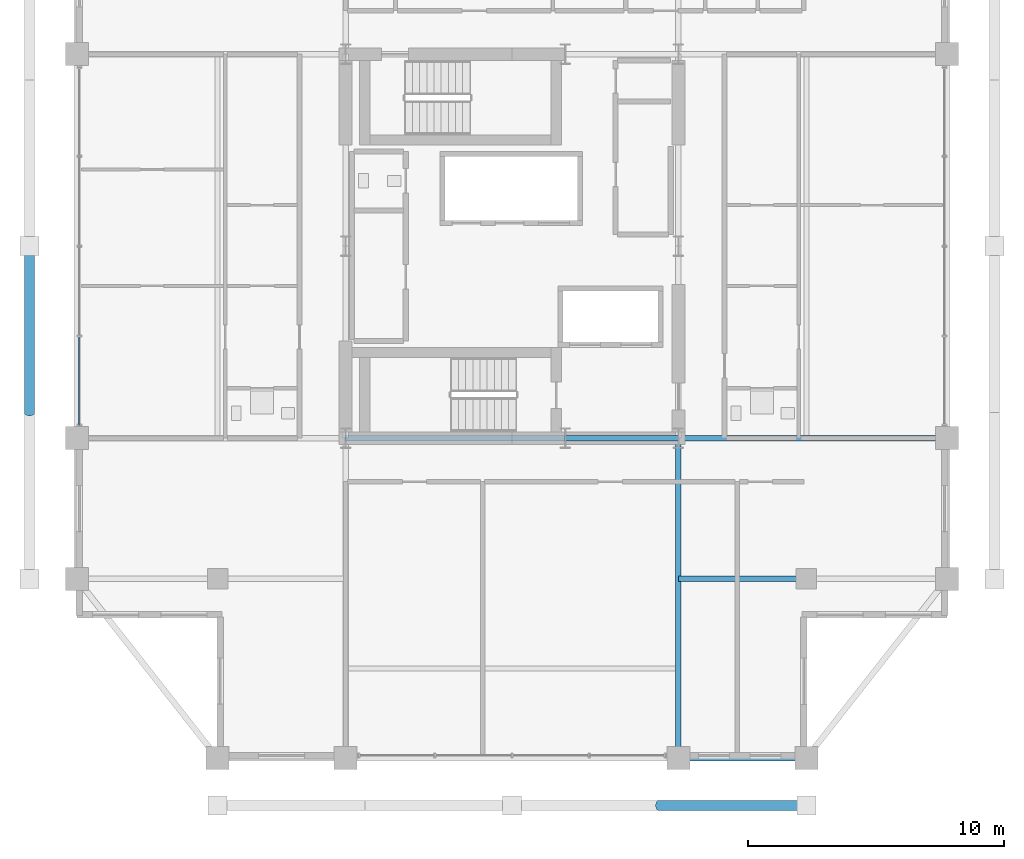
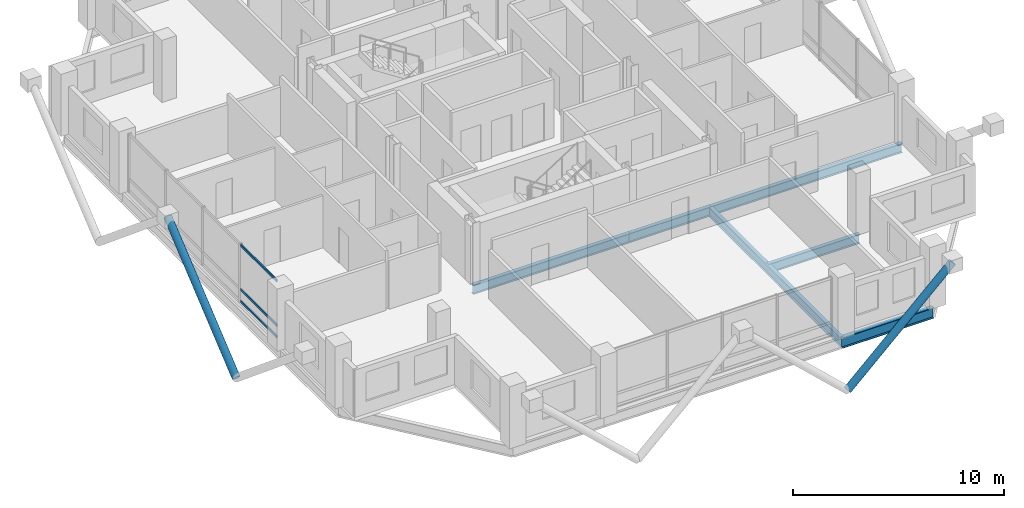
# One storey, part 6 of 23: 6 beams, 5 members, 1 element without a shape of its own.
"""IFC4 building model written with IfcOpenShell, lengths in metres."""

from ifc_helpers import new_model, si_unit, direction, frame, origin, origin_2d, place, context, subcontext, project, spatial, hollow_rectangle, hollow_circle, i_section, extrude, material, layer, layer_set, material_profile, profile_set, type_object, element, aggregate, save


model = new_model("IFC4")

# Units and contexts
model_context = context("Model", 3, precision=1e-05, world=origin(), true_north=direction((0.0, 1.0)))
body_context = subcontext(model_context, "Body", "Model", "MODEL_VIEW")
ifc_project = project(units=[si_unit("LENGTHUNIT", "METRE"), si_unit("AREAUNIT", "SQUARE_METRE"), si_unit("VOLUMEUNIT", "CUBIC_METRE"), si_unit("PLANEANGLEUNIT", "RADIAN"), si_unit("MASSUNIT", "GRAM", prefix="KILO")], contexts=[model_context])

# Site, building, storey
site_placement = place(None, origin())
site = spatial("IfcSite", under=ifc_project, at=site_placement, CompositionType="ELEMENT")
building_placement = place(site_placement, origin())
building = spatial("IfcBuilding", under=site, at=building_placement, Name="Barlavira Tower and Art Museum", CompositionType="ELEMENT")
storey_placement = place(building_placement, frame((0.0, 0.0, 247.5)))
storey = spatial("IfcBuildingStorey", under=building, at=storey_placement, Name="L64", CompositionType="ELEMENT", Elevation=247.5)

# Curtain wall, members
ifc_material_1 = material(Name="Low-iron coastal laminated glass", Category="glass")
ifc_layer = layer(ifc_material_1, 0.2099609375, Name="Low-iron coastal laminated glass")
ifc_layer_set = layer_set([ifc_layer], Name="Low-iron coastal laminated glass")
curtain_wall_type = type_object("IfcCurtainWallType", Name="Pale-Metal Unitised Curtain Wall Zone 4", PredefinedType="NOTDEFINED", material=ifc_layer_set)
curtain_wall_placement = place(storey_placement, origin())
curtain_wall = element("IfcCurtainWall", 1, at=curtain_wall_placement, inside=storey, type_object=curtain_wall_type, Name="L64 Curtain Wall CW4-L64-W-B3", PredefinedType="NOTDEFINED")
ifc_material_2 = material(Name="Pale anodised aluminium", Category="aluminium")
ifc_material_profile_1 = material_profile(ifc_material_2, hollow_rectangle(XDim=0.06494140625, YDim=0.139892578125, WallThickness=0.00390625, at=origin_2d()), Name="ALU-TRAN 65x140x4")
ifc_profile_set_1 = profile_set([ifc_material_profile_1], Name="Pale anodised aluminium")
member_type_1 = type_object("IfcMemberType", Name="Curtain Wall Pale-Metal Transom 65x140", PredefinedType="USERDEFINED", material=ifc_profile_set_1)
member_1_placement = place(storey_placement, frame((-16.89990234375, -3.56005859375, 0.070068359375), z_axis=(0.0, -1.0, 0.0), x_axis=(1.0, 0.0, 0.0)))
member_1 = element("IfcMember", 2, at=member_1_placement, type_object=member_type_1, Name="CW4-L64-W-B3 Transom 3.1", ObjectType="TRANSOM", PredefinedType="USERDEFINED", context=body_context, shape_type="SweptSolid", body=[
    extrude(hollow_rectangle(XDim=0.06494140625, YDim=0.139892578125, WallThickness=0.00390625, at=origin_2d()), origin(), (0.0, 0.0, 1.0), 3.425048828125),
])
member_2_placement = place(storey_placement, frame((-16.89990234375, -3.56005859375, 0.743896484375), z_axis=(0.0, -1.0, 0.0), x_axis=(1.0, 0.0, 0.0)))
member_2 = element("IfcMember", 3, at=member_2_placement, type_object=member_type_1, Name="CW4-L64-W-B3 Transom 3.2", ObjectType="TRANSOM", PredefinedType="USERDEFINED", context=body_context, shape_type="SweptSolid", body=[
    extrude(hollow_rectangle(XDim=0.06494140625, YDim=0.139892578125, WallThickness=0.00390625, at=origin_2d()), origin(), (0.0, 0.0, 1.0), 3.425048828125),
])
member_3_placement = place(storey_placement, frame((-16.89990234375, -3.56005859375, 3.31005859375), z_axis=(0.0, -1.0, 0.0), x_axis=(1.0, 0.0, 0.0)))
member_3 = element("IfcMember", 4, at=member_3_placement, type_object=member_type_1, Name="CW4-L64-W-B3 Transom 3.3", ObjectType="TRANSOM", PredefinedType="USERDEFINED", context=body_context, shape_type="SweptSolid", body=[
    extrude(hollow_rectangle(XDim=0.06494140625, YDim=0.139892578125, WallThickness=0.00390625, at=origin_2d()), origin(), (0.0, 0.0, 1.0), 3.425048828125),
])
aggregate(curtain_wall, [member_1, member_2, member_3])

# Members
ifc_material_3 = material(Name="Steel S355", Category="steel")
ifc_material_profile_2 = material_profile(ifc_material_3, hollow_circle(Radius=0.203125, WallThickness=0.01611328125, at=origin_2d()), Name="CHS 406.4x16.0")
ifc_profile_set_2 = profile_set([ifc_material_profile_2], Name="Steel S355")
member_type_2 = type_object("IfcMemberType", Name="Pale-Metal Exoskeleton Diagrid Tube CHS 406x16 Steel S355", PredefinedType="BRACE", material=ifc_profile_set_2)
member_4_placement = place(storey_placement, frame((5.75, -21.85009765625, -1.919921875), z_axis=(0.728950095515, 0.0, 0.684566839869), x_axis=(0.0, 1.0, 0.0)))
element("IfcMember", 5, at=member_4_placement, inside=storey, type_object=member_type_2, Name="L64 Exoskeleton Diagrid Tube S", PredefinedType="BRACE", context=body_context, shape_type="SweptSolid", body=[
    extrude(hollow_circle(Radius=0.203125, WallThickness=0.01611328125, at=origin_2d()), origin(), (0.0, 0.0, 1.0), 7.887939453125),
])
member_5_placement = place(storey_placement, frame((-18.85009765625, -6.5, -1.919921875), z_axis=(0.0, 0.769196053329, 0.639012857104), x_axis=(-1.0, 0.0, 0.0)))
element("IfcMember", 6, at=member_5_placement, inside=storey, type_object=member_type_2, Name="L64 Exoskeleton Diagrid Tube W", PredefinedType="BRACE", context=body_context, shape_type="SweptSolid", body=[
    extrude(hollow_circle(Radius=0.203125, WallThickness=0.01611328125, at=origin_2d()), origin(), (0.0, 0.0, 1.0), 8.450439453125),
])

# Beams
ifc_material_profile_3 = material_profile(ifc_material_3, i_section(OverallWidth=0.22998046875, OverallDepth=0.616943359375, WebThickness=0.01318359375, FlangeThickness=0.022216796875, at=origin_2d()), Name="W610x140.0")
ifc_profile_set_3 = profile_set([ifc_material_profile_3], Name="Steel S355")
beam_type_1 = type_object("IfcBeamType", Name="Upper Shaft Spandrel Edge Beam W610x140 Steel S355", PredefinedType="SPANDREL", material=ifc_profile_set_3)
beam_1_placement = place(storey_placement, frame((6.5, -20.0, -0.528564453125), z_axis=(1.0, 0.0, 0.0), x_axis=(0.0, 1.0, 0.0)))
element("IfcBeam", 7, at=beam_1_placement, inside=storey, type_object=beam_type_1, Name="L64 Spandrel 3", PredefinedType="SPANDREL", context=body_context, shape_type="SweptSolid", body=[
    extrude(i_section(OverallWidth=0.22998046875, OverallDepth=0.616943359375, WebThickness=0.01318359375, FlangeThickness=0.022216796875, at=origin_2d()), origin(), (0.0, 0.0, 1.0), 5.0),
])
ifc_material_profile_4 = material_profile(ifc_material_3, i_section(OverallWidth=0.2109375, OverallDepth=0.5390625, WebThickness=0.01171875, FlangeThickness=0.018798828125, at=origin_2d()), Name="W530x109.0")
ifc_profile_set_4 = profile_set([ifc_material_profile_4], Name="Steel S355")
beam_type_2 = type_object("IfcBeamType", Name="Zone 3-4 Primary Floor Girder W530x109 Steel S355", PredefinedType="BEAM", material=ifc_profile_set_4)
beam_2_placement = place(storey_placement, frame((-6.5, -7.5, -0.489501953125), z_axis=(1.0, 0.0, 0.0), x_axis=(0.0, 1.0, 0.0)))
element("IfcBeam", 8, at=beam_2_placement, inside=storey, type_object=beam_type_2, Name="L64 Girder C-S1", PredefinedType="BEAM", context=body_context, shape_type="SweptSolid", body=[
    extrude(i_section(OverallWidth=0.2109375, OverallDepth=0.5390625, WebThickness=0.01171875, FlangeThickness=0.018798828125, at=origin_2d()), origin(), (0.0, 0.0, 1.0), 8.580078125),
])
beam_3_placement = place(storey_placement, frame((2.080078125, -7.5, -0.489501953125), z_axis=(1.0, 0.0, 0.0), x_axis=(0.0, 1.0, 0.0)))
element("IfcBeam", 9, at=beam_3_placement, inside=storey, type_object=beam_type_2, Name="L64 Girder C-S2", PredefinedType="BEAM", context=body_context, shape_type="SweptSolid", body=[
    extrude(i_section(OverallWidth=0.2109375, OverallDepth=0.5390625, WebThickness=0.01171875, FlangeThickness=0.018798828125, at=origin_2d()), origin(), (0.0, 0.0, 1.0), 4.419921875),
])
beam_4_placement = place(storey_placement, frame((6.5, -20.0, -0.489501953125), z_axis=(0.0, 1.0, 0.0), x_axis=(-1.0, 0.0, 0.0)))
element("IfcBeam", 10, at=beam_4_placement, inside=storey, type_object=beam_type_2, Name="L64 Girder R-S2", PredefinedType="BEAM", context=body_context, shape_type="SweptSolid", body=[
    extrude(i_section(OverallWidth=0.2109375, OverallDepth=0.5390625, WebThickness=0.01171875, FlangeThickness=0.018798828125, at=origin_2d()), origin(), (0.0, 0.0, 1.0), 12.5),
])
beam_5_placement = place(storey_placement, frame((6.5, -7.5, -0.489501953125), z_axis=(1.0, 0.0, 0.0), x_axis=(0.0, 1.0, 0.0)))
element("IfcBeam", 11, at=beam_5_placement, inside=storey, type_object=beam_type_2, Name="L64 Girder R-E1", PredefinedType="BEAM", context=body_context, shape_type="SweptSolid", body=[
    extrude(i_section(OverallWidth=0.2109375, OverallDepth=0.5390625, WebThickness=0.01171875, FlangeThickness=0.018798828125, at=origin_2d()), origin(), (0.0, 0.0, 1.0), 10.5),
])
beam_6_placement = place(storey_placement, frame((6.5, -13.0, -0.489501953125), z_axis=(1.0, 0.0, 0.0), x_axis=(0.0, 1.0, 0.0)))
element("IfcBeam", 12, at=beam_6_placement, inside=storey, type_object=beam_type_2, Name="L64 Girder I-S3", PredefinedType="BEAM", context=body_context, shape_type="SweptSolid", body=[
    extrude(i_section(OverallWidth=0.2109375, OverallDepth=0.5390625, WebThickness=0.01171875, FlangeThickness=0.018798828125, at=origin_2d()), origin(), (0.0, 0.0, 1.0), 5.0),
])

save(model, "model.ifc")
